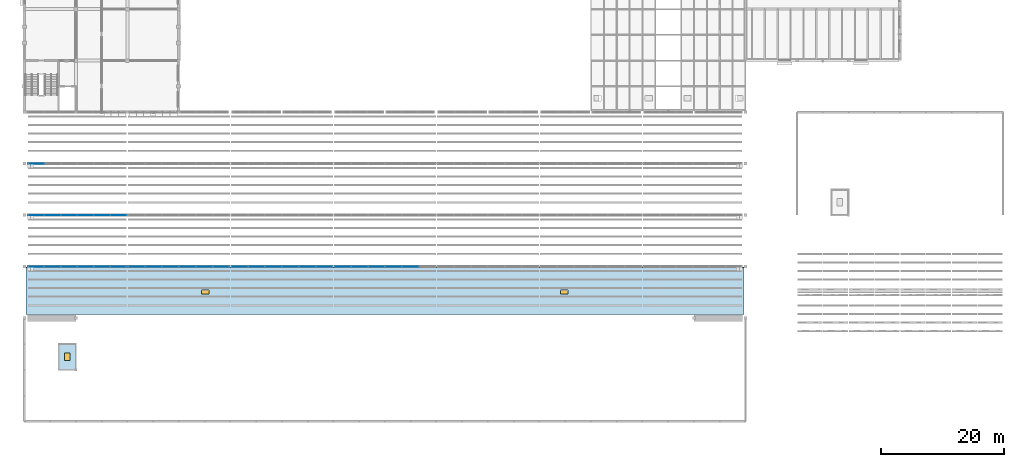
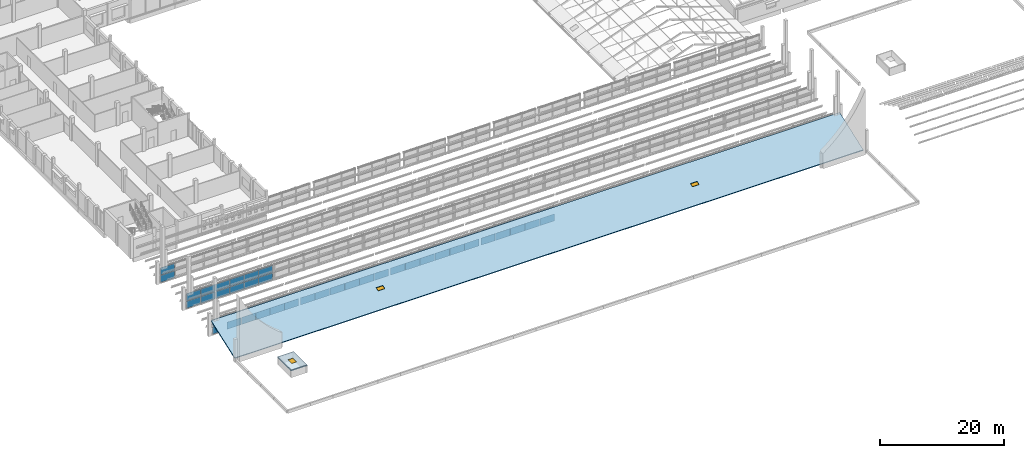
# One storey, part 80 of 116: 60 plates, 3 windows, 2 slabs, 3 openings, 6 elements without a shape of their own.
"""IFC4 building model written with IfcOpenShell, lengths in metres."""

from ifc_helpers import new_model, si_unit, direction, frame, origin, origin_2d, place, context, subcontext, project, spatial, polyline, rectangle, outline, extrude, material, layer, layer_set, type_object, element, fill, aggregate, save


model = new_model("IFC4")

# Units and contexts
model_context = context("Model", 3, precision=1e-05, world=origin(), true_north=direction((0.0, 1.0)))
body_context = subcontext(model_context, "Body", "Model", "MODEL_VIEW")
ifc_project = project(units=[si_unit("LENGTHUNIT", "METRE"), si_unit("AREAUNIT", "SQUARE_METRE"), si_unit("VOLUMEUNIT", "CUBIC_METRE"), si_unit("PLANEANGLEUNIT", "RADIAN"), si_unit("MASSUNIT", "GRAM", prefix="KILO")], contexts=[model_context])

# Site, building, storey
site_placement = place(None, origin())
site = spatial("IfcSite", under=ifc_project, at=site_placement, CompositionType="ELEMENT")
building_placement = place(site_placement, origin())
building = spatial("IfcBuilding", under=site, at=building_placement, Name="Fescue Hill Polytechnic", CompositionType="ELEMENT")
storey_placement = place(building_placement, frame((0.0, 0.0, 13.5)))
storey = spatial("IfcBuildingStorey", under=building, at=storey_placement, Name="L03", CompositionType="ELEMENT", Elevation=13.5)

# Curtain wall, plates
ifc_material_1 = material(Name="Aluminium and glass", Category="aluminium")
curtain_wall_type = type_object("IfcCurtainWallType", Name="Sawtooth north glazing curtain wall", PredefinedType="NOTDEFINED", material=ifc_material_1)
curtain_wall_1_placement = place(storey_placement, origin())
curtain_wall_1 = element("IfcCurtainWall", 1, at=curtain_wall_1_placement, inside=storey, type_object=curtain_wall_type, Name="Sawtooth 1 north glazing bay 1", PredefinedType="NOTDEFINED")
ifc_material_2 = material(Name="Glass", Category="glass")
ifc_layer_1 = layer(ifc_material_2, 0.028076171875)
ifc_layer_set_1 = layer_set([ifc_layer_1], Name="Glass")
plate_type = type_object("IfcPlateType", Name="Curtain wall glazing panel 28", PredefinedType="CURTAIN_PANEL", material=ifc_layer_set_1)
plate_1_placement = place(storey_placement, frame((1.927490234375, 25.199951171875, 0.06005859375), z_axis=(0.0, 0.0, 1.0), x_axis=(1.0, 0.0, 0.0)))
plate_1 = element("IfcPlate", 2, at=plate_1_placement, type_object=plate_type, Name="CW1 panel 1.1", PredefinedType="CURTAIN_PANEL", context=body_context, shape_type="SweptSolid", body=[
    extrude(rectangle(XDim=2.594970703125, YDim=0.028076171875, at=origin_2d()), origin(), (0.0, 0.0, 1.0), 1.409912109375),
])
plate_2_placement = place(storey_placement, frame((1.927490234375, 25.199951171875, 1.5302734375), z_axis=(0.0, 0.0, 1.0), x_axis=(1.0, 0.0, 0.0)))
plate_2 = element("IfcPlate", 3, at=plate_2_placement, type_object=plate_type, Name="CW1 panel 1.2", PredefinedType="CURTAIN_PANEL", context=body_context, shape_type="SweptSolid", body=[
    extrude(rectangle(XDim=2.594970703125, YDim=0.028076171875, at=origin_2d()), origin(), (0.0, 0.0, 1.0), 1.409912109375),
])
plate_3_placement = place(storey_placement, frame((4.597412109375, 25.199951171875, 0.06005859375), z_axis=(0.0, 0.0, 1.0), x_axis=(1.0, 0.0, 0.0)))
plate_3 = element("IfcPlate", 4, at=plate_3_placement, type_object=plate_type, Name="CW1 panel 2.1", PredefinedType="CURTAIN_PANEL", context=body_context, shape_type="SweptSolid", body=[
    extrude(rectangle(XDim=2.625, YDim=0.028076171875, at=origin_2d()), origin(), (0.0, 0.0, 1.0), 1.409912109375),
])
plate_4_placement = place(storey_placement, frame((4.597412109375, 25.199951171875, 1.5302734375), z_axis=(0.0, 0.0, 1.0), x_axis=(1.0, 0.0, 0.0)))
plate_4 = element("IfcPlate", 5, at=plate_4_placement, type_object=plate_type, Name="CW1 panel 2.2", PredefinedType="CURTAIN_PANEL", context=body_context, shape_type="SweptSolid", body=[
    extrude(rectangle(XDim=2.625, YDim=0.028076171875, at=origin_2d()), origin(), (0.0, 0.0, 1.0), 1.409912109375),
])
plate_5_placement = place(storey_placement, frame((7.282470703125, 25.199951171875, 0.06005859375), z_axis=(0.0, 0.0, 1.0), x_axis=(1.0, 0.0, 0.0)))
plate_5 = element("IfcPlate", 6, at=plate_5_placement, type_object=plate_type, Name="CW1 panel 3.1", PredefinedType="CURTAIN_PANEL", context=body_context, shape_type="SweptSolid", body=[
    extrude(rectangle(XDim=2.625, YDim=0.028076171875, at=origin_2d()), origin(), (0.0, 0.0, 1.0), 1.409912109375),
])
plate_6_placement = place(storey_placement, frame((7.282470703125, 25.199951171875, 1.5302734375), z_axis=(0.0, 0.0, 1.0), x_axis=(1.0, 0.0, 0.0)))
plate_6 = element("IfcPlate", 7, at=plate_6_placement, type_object=plate_type, Name="CW1 panel 3.2", PredefinedType="CURTAIN_PANEL", context=body_context, shape_type="SweptSolid", body=[
    extrude(rectangle(XDim=2.625, YDim=0.028076171875, at=origin_2d()), origin(), (0.0, 0.0, 1.0), 1.409912109375),
])
plate_7_placement = place(storey_placement, frame((9.967529296875, 25.199951171875, 0.06005859375), z_axis=(0.0, 0.0, 1.0), x_axis=(1.0, 0.0, 0.0)))
plate_7 = element("IfcPlate", 8, at=plate_7_placement, type_object=plate_type, Name="CW1 panel 4.1", PredefinedType="CURTAIN_PANEL", context=body_context, shape_type="SweptSolid", body=[
    extrude(rectangle(XDim=2.625, YDim=0.028076171875, at=origin_2d()), origin(), (0.0, 0.0, 1.0), 1.409912109375),
])
plate_8_placement = place(storey_placement, frame((9.967529296875, 25.199951171875, 1.5302734375), z_axis=(0.0, 0.0, 1.0), x_axis=(1.0, 0.0, 0.0)))
plate_8 = element("IfcPlate", 9, at=plate_8_placement, type_object=plate_type, Name="CW1 panel 4.2", PredefinedType="CURTAIN_PANEL", context=body_context, shape_type="SweptSolid", body=[
    extrude(rectangle(XDim=2.625, YDim=0.028076171875, at=origin_2d()), origin(), (0.0, 0.0, 1.0), 1.409912109375),
])
plate_9_placement = place(storey_placement, frame((12.652587890625, 25.199951171875, 0.06005859375), z_axis=(0.0, 0.0, 1.0), x_axis=(1.0, 0.0, 0.0)))
plate_9 = element("IfcPlate", 10, at=plate_9_placement, type_object=plate_type, Name="CW1 panel 5.1", PredefinedType="CURTAIN_PANEL", context=body_context, shape_type="SweptSolid", body=[
    extrude(rectangle(XDim=2.625, YDim=0.028076171875, at=origin_2d()), origin(), (0.0, 0.0, 1.0), 1.409912109375),
])
plate_10_placement = place(storey_placement, frame((12.652587890625, 25.199951171875, 1.5302734375), z_axis=(0.0, 0.0, 1.0), x_axis=(1.0, 0.0, 0.0)))
plate_10 = element("IfcPlate", 11, at=plate_10_placement, type_object=plate_type, Name="CW1 panel 5.2", PredefinedType="CURTAIN_PANEL", context=body_context, shape_type="SweptSolid", body=[
    extrude(rectangle(XDim=2.625, YDim=0.028076171875, at=origin_2d()), origin(), (0.0, 0.0, 1.0), 1.409912109375),
])
plate_11_placement = place(storey_placement, frame((15.322509765625, 25.199951171875, 0.06005859375), z_axis=(0.0, 0.0, 1.0), x_axis=(1.0, 0.0, 0.0)))
plate_11 = element("IfcPlate", 12, at=plate_11_placement, type_object=plate_type, Name="CW1 panel 6.1", PredefinedType="CURTAIN_PANEL", context=body_context, shape_type="SweptSolid", body=[
    extrude(rectangle(XDim=2.594970703125, YDim=0.028076171875, at=origin_2d()), origin(), (0.0, 0.0, 1.0), 1.409912109375),
])
plate_12_placement = place(storey_placement, frame((15.322509765625, 25.199951171875, 1.5302734375), z_axis=(0.0, 0.0, 1.0), x_axis=(1.0, 0.0, 0.0)))
plate_12 = element("IfcPlate", 13, at=plate_12_placement, type_object=plate_type, Name="CW1 panel 6.2", PredefinedType="CURTAIN_PANEL", context=body_context, shape_type="SweptSolid", body=[
    extrude(rectangle(XDim=2.594970703125, YDim=0.028076171875, at=origin_2d()), origin(), (0.0, 0.0, 1.0), 1.409912109375),
])
aggregate(curtain_wall_1, [plate_1, plate_2, plate_3, plate_4, plate_5, plate_6, plate_7, plate_8, plate_9, plate_10, plate_11, plate_12])

curtain_wall_2_placement = place(storey_placement, origin())
curtain_wall_2 = element("IfcCurtainWall", 14, at=curtain_wall_2_placement, inside=storey, type_object=curtain_wall_type, Name="Sawtooth 1 north glazing bay 2", PredefinedType="NOTDEFINED")
plate_13_placement = place(storey_placement, frame((18.31494140625, 25.199951171875, 0.06005859375), z_axis=(0.0, 0.0, 1.0), x_axis=(1.0, 0.0, 0.0)))
plate_13 = element("IfcPlate", 15, at=plate_13_placement, type_object=plate_type, Name="CW2 panel 1.1", PredefinedType="CURTAIN_PANEL", context=body_context, shape_type="SweptSolid", body=[
    extrude(rectangle(XDim=2.669921875, YDim=0.028076171875, at=origin_2d()), origin(), (0.0, 0.0, 1.0), 1.409912109375),
])
plate_14_placement = place(storey_placement, frame((18.31494140625, 25.199951171875, 1.5302734375), z_axis=(0.0, 0.0, 1.0), x_axis=(1.0, 0.0, 0.0)))
plate_14 = element("IfcPlate", 16, at=plate_14_placement, type_object=plate_type, Name="CW2 panel 1.2", PredefinedType="CURTAIN_PANEL", context=body_context, shape_type="SweptSolid", body=[
    extrude(rectangle(XDim=2.669921875, YDim=0.028076171875, at=origin_2d()), origin(), (0.0, 0.0, 1.0), 1.409912109375),
])
plate_15_placement = place(storey_placement, frame((21.06005859375, 25.199951171875, 0.06005859375), z_axis=(0.0, 0.0, 1.0), x_axis=(1.0, 0.0, 0.0)))
plate_15 = element("IfcPlate", 17, at=plate_15_placement, type_object=plate_type, Name="CW2 panel 2.1", PredefinedType="CURTAIN_PANEL", context=body_context, shape_type="SweptSolid", body=[
    extrude(rectangle(XDim=2.699951171875, YDim=0.028076171875, at=origin_2d()), origin(), (0.0, 0.0, 1.0), 1.409912109375),
])
plate_16_placement = place(storey_placement, frame((21.06005859375, 25.199951171875, 1.5302734375), z_axis=(0.0, 0.0, 1.0), x_axis=(1.0, 0.0, 0.0)))
plate_16 = element("IfcPlate", 18, at=plate_16_placement, type_object=plate_type, Name="CW2 panel 2.2", PredefinedType="CURTAIN_PANEL", context=body_context, shape_type="SweptSolid", body=[
    extrude(rectangle(XDim=2.699951171875, YDim=0.028076171875, at=origin_2d()), origin(), (0.0, 0.0, 1.0), 1.409912109375),
])
plate_17_placement = place(storey_placement, frame((23.820068359375, 25.199951171875, 0.06005859375), z_axis=(0.0, 0.0, 1.0), x_axis=(1.0, 0.0, 0.0)))
plate_17 = element("IfcPlate", 19, at=plate_17_placement, type_object=plate_type, Name="CW2 panel 3.1", PredefinedType="CURTAIN_PANEL", context=body_context, shape_type="SweptSolid", body=[
    extrude(rectangle(XDim=2.699951171875, YDim=0.028076171875, at=origin_2d()), origin(), (0.0, 0.0, 1.0), 1.409912109375),
])
plate_18_placement = place(storey_placement, frame((23.820068359375, 25.199951171875, 1.5302734375), z_axis=(0.0, 0.0, 1.0), x_axis=(1.0, 0.0, 0.0)))
plate_18 = element("IfcPlate", 20, at=plate_18_placement, type_object=plate_type, Name="CW2 panel 3.2", PredefinedType="CURTAIN_PANEL", context=body_context, shape_type="SweptSolid", body=[
    extrude(rectangle(XDim=2.699951171875, YDim=0.028076171875, at=origin_2d()), origin(), (0.0, 0.0, 1.0), 1.409912109375),
])
plate_19_placement = place(storey_placement, frame((26.580078125, 25.199951171875, 0.06005859375), z_axis=(0.0, 0.0, 1.0), x_axis=(1.0, 0.0, 0.0)))
plate_19 = element("IfcPlate", 21, at=plate_19_placement, type_object=plate_type, Name="CW2 panel 4.1", PredefinedType="CURTAIN_PANEL", context=body_context, shape_type="SweptSolid", body=[
    extrude(rectangle(XDim=2.699951171875, YDim=0.028076171875, at=origin_2d()), origin(), (0.0, 0.0, 1.0), 1.409912109375),
])
plate_20_placement = place(storey_placement, frame((26.580078125, 25.199951171875, 1.5302734375), z_axis=(0.0, 0.0, 1.0), x_axis=(1.0, 0.0, 0.0)))
plate_20 = element("IfcPlate", 22, at=plate_20_placement, type_object=plate_type, Name="CW2 panel 4.2", PredefinedType="CURTAIN_PANEL", context=body_context, shape_type="SweptSolid", body=[
    extrude(rectangle(XDim=2.699951171875, YDim=0.028076171875, at=origin_2d()), origin(), (0.0, 0.0, 1.0), 1.409912109375),
])
plate_21_placement = place(storey_placement, frame((29.340087890625, 25.199951171875, 0.06005859375), z_axis=(0.0, 0.0, 1.0), x_axis=(1.0, 0.0, 0.0)))
plate_21 = element("IfcPlate", 23, at=plate_21_placement, type_object=plate_type, Name="CW2 panel 5.1", PredefinedType="CURTAIN_PANEL", context=body_context, shape_type="SweptSolid", body=[
    extrude(rectangle(XDim=2.699951171875, YDim=0.028076171875, at=origin_2d()), origin(), (0.0, 0.0, 1.0), 1.409912109375),
])
plate_22_placement = place(storey_placement, frame((29.340087890625, 25.199951171875, 1.5302734375), z_axis=(0.0, 0.0, 1.0), x_axis=(1.0, 0.0, 0.0)))
plate_22 = element("IfcPlate", 24, at=plate_22_placement, type_object=plate_type, Name="CW2 panel 5.2", PredefinedType="CURTAIN_PANEL", context=body_context, shape_type="SweptSolid", body=[
    extrude(rectangle(XDim=2.699951171875, YDim=0.028076171875, at=origin_2d()), origin(), (0.0, 0.0, 1.0), 1.409912109375),
])
plate_23_placement = place(storey_placement, frame((32.0849609375, 25.199951171875, 0.06005859375), z_axis=(0.0, 0.0, 1.0), x_axis=(1.0, 0.0, 0.0)))
plate_23 = element("IfcPlate", 25, at=plate_23_placement, type_object=plate_type, Name="CW2 panel 6.1", PredefinedType="CURTAIN_PANEL", context=body_context, shape_type="SweptSolid", body=[
    extrude(rectangle(XDim=2.669921875, YDim=0.028076171875, at=origin_2d()), origin(), (0.0, 0.0, 1.0), 1.409912109375),
])
plate_24_placement = place(storey_placement, frame((32.0849609375, 25.199951171875, 1.5302734375), z_axis=(0.0, 0.0, 1.0), x_axis=(1.0, 0.0, 0.0)))
plate_24 = element("IfcPlate", 26, at=plate_24_placement, type_object=plate_type, Name="CW2 panel 6.2", PredefinedType="CURTAIN_PANEL", context=body_context, shape_type="SweptSolid", body=[
    extrude(rectangle(XDim=2.669921875, YDim=0.028076171875, at=origin_2d()), origin(), (0.0, 0.0, 1.0), 1.409912109375),
])
aggregate(curtain_wall_2, [plate_13, plate_14, plate_15, plate_16, plate_17, plate_18, plate_19, plate_20, plate_21, plate_22, plate_23, plate_24])

curtain_wall_3_placement = place(storey_placement, origin())
curtain_wall_3 = element("IfcCurtainWall", 27, at=curtain_wall_3_placement, inside=storey, type_object=curtain_wall_type, Name="Sawtooth 1 north glazing bay 3", PredefinedType="NOTDEFINED")
plate_25_placement = place(storey_placement, frame((35.114990234375, 25.199951171875, 0.06005859375), z_axis=(0.0, 0.0, 1.0), x_axis=(1.0, 0.0, 0.0)))
plate_25 = element("IfcPlate", 28, at=plate_25_placement, type_object=plate_type, Name="CW3 panel 1.1", PredefinedType="CURTAIN_PANEL", context=body_context, shape_type="SweptSolid", body=[
    extrude(rectangle(XDim=2.669921875, YDim=0.028076171875, at=origin_2d()), origin(), (0.0, 0.0, 1.0), 1.409912109375),
])
plate_26_placement = place(storey_placement, frame((35.114990234375, 25.199951171875, 1.5302734375), z_axis=(0.0, 0.0, 1.0), x_axis=(1.0, 0.0, 0.0)))
plate_26 = element("IfcPlate", 29, at=plate_26_placement, type_object=plate_type, Name="CW3 panel 1.2", PredefinedType="CURTAIN_PANEL", context=body_context, shape_type="SweptSolid", body=[
    extrude(rectangle(XDim=2.669921875, YDim=0.028076171875, at=origin_2d()), origin(), (0.0, 0.0, 1.0), 1.409912109375),
])
plate_27_placement = place(storey_placement, frame((37.860107421875, 25.199951171875, 0.06005859375), z_axis=(0.0, 0.0, 1.0), x_axis=(1.0, 0.0, 0.0)))
plate_27 = element("IfcPlate", 30, at=plate_27_placement, type_object=plate_type, Name="CW3 panel 2.1", PredefinedType="CURTAIN_PANEL", context=body_context, shape_type="SweptSolid", body=[
    extrude(rectangle(XDim=2.699951171875, YDim=0.028076171875, at=origin_2d()), origin(), (0.0, 0.0, 1.0), 1.409912109375),
])
plate_28_placement = place(storey_placement, frame((37.860107421875, 25.199951171875, 1.5302734375), z_axis=(0.0, 0.0, 1.0), x_axis=(1.0, 0.0, 0.0)))
plate_28 = element("IfcPlate", 31, at=plate_28_placement, type_object=plate_type, Name="CW3 panel 2.2", PredefinedType="CURTAIN_PANEL", context=body_context, shape_type="SweptSolid", body=[
    extrude(rectangle(XDim=2.699951171875, YDim=0.028076171875, at=origin_2d()), origin(), (0.0, 0.0, 1.0), 1.409912109375),
])
plate_29_placement = place(storey_placement, frame((40.6201171875, 25.199951171875, 0.06005859375), z_axis=(0.0, 0.0, 1.0), x_axis=(1.0, 0.0, 0.0)))
plate_29 = element("IfcPlate", 32, at=plate_29_placement, type_object=plate_type, Name="CW3 panel 3.1", PredefinedType="CURTAIN_PANEL", context=body_context, shape_type="SweptSolid", body=[
    extrude(rectangle(XDim=2.699951171875, YDim=0.028076171875, at=origin_2d()), origin(), (0.0, 0.0, 1.0), 1.409912109375),
])
plate_30_placement = place(storey_placement, frame((40.6201171875, 25.199951171875, 1.5302734375), z_axis=(0.0, 0.0, 1.0), x_axis=(1.0, 0.0, 0.0)))
plate_30 = element("IfcPlate", 33, at=plate_30_placement, type_object=plate_type, Name="CW3 panel 3.2", PredefinedType="CURTAIN_PANEL", context=body_context, shape_type="SweptSolid", body=[
    extrude(rectangle(XDim=2.699951171875, YDim=0.028076171875, at=origin_2d()), origin(), (0.0, 0.0, 1.0), 1.409912109375),
])
plate_31_placement = place(storey_placement, frame((43.3798828125, 25.199951171875, 0.06005859375), z_axis=(0.0, 0.0, 1.0), x_axis=(1.0, 0.0, 0.0)))
plate_31 = element("IfcPlate", 34, at=plate_31_placement, type_object=plate_type, Name="CW3 panel 4.1", PredefinedType="CURTAIN_PANEL", context=body_context, shape_type="SweptSolid", body=[
    extrude(rectangle(XDim=2.699951171875, YDim=0.028076171875, at=origin_2d()), origin(), (0.0, 0.0, 1.0), 1.409912109375),
])
plate_32_placement = place(storey_placement, frame((43.3798828125, 25.199951171875, 1.5302734375), z_axis=(0.0, 0.0, 1.0), x_axis=(1.0, 0.0, 0.0)))
plate_32 = element("IfcPlate", 35, at=plate_32_placement, type_object=plate_type, Name="CW3 panel 4.2", PredefinedType="CURTAIN_PANEL", context=body_context, shape_type="SweptSolid", body=[
    extrude(rectangle(XDim=2.699951171875, YDim=0.028076171875, at=origin_2d()), origin(), (0.0, 0.0, 1.0), 1.409912109375),
])
plate_33_placement = place(storey_placement, frame((46.139892578125, 25.199951171875, 0.06005859375), z_axis=(0.0, 0.0, 1.0), x_axis=(1.0, 0.0, 0.0)))
plate_33 = element("IfcPlate", 36, at=plate_33_placement, type_object=plate_type, Name="CW3 panel 5.1", PredefinedType="CURTAIN_PANEL", context=body_context, shape_type="SweptSolid", body=[
    extrude(rectangle(XDim=2.699951171875, YDim=0.028076171875, at=origin_2d()), origin(), (0.0, 0.0, 1.0), 1.409912109375),
])
plate_34_placement = place(storey_placement, frame((46.139892578125, 25.199951171875, 1.5302734375), z_axis=(0.0, 0.0, 1.0), x_axis=(1.0, 0.0, 0.0)))
plate_34 = element("IfcPlate", 37, at=plate_34_placement, type_object=plate_type, Name="CW3 panel 5.2", PredefinedType="CURTAIN_PANEL", context=body_context, shape_type="SweptSolid", body=[
    extrude(rectangle(XDim=2.699951171875, YDim=0.028076171875, at=origin_2d()), origin(), (0.0, 0.0, 1.0), 1.409912109375),
])
plate_35_placement = place(storey_placement, frame((48.885009765625, 25.199951171875, 0.06005859375), z_axis=(0.0, 0.0, 1.0), x_axis=(1.0, 0.0, 0.0)))
plate_35 = element("IfcPlate", 38, at=plate_35_placement, type_object=plate_type, Name="CW3 panel 6.1", PredefinedType="CURTAIN_PANEL", context=body_context, shape_type="SweptSolid", body=[
    extrude(rectangle(XDim=2.669921875, YDim=0.028076171875, at=origin_2d()), origin(), (0.0, 0.0, 1.0), 1.409912109375),
])
plate_36_placement = place(storey_placement, frame((48.885009765625, 25.199951171875, 1.5302734375), z_axis=(0.0, 0.0, 1.0), x_axis=(1.0, 0.0, 0.0)))
plate_36 = element("IfcPlate", 39, at=plate_36_placement, type_object=plate_type, Name="CW3 panel 6.2", PredefinedType="CURTAIN_PANEL", context=body_context, shape_type="SweptSolid", body=[
    extrude(rectangle(XDim=2.669921875, YDim=0.028076171875, at=origin_2d()), origin(), (0.0, 0.0, 1.0), 1.409912109375),
])
aggregate(curtain_wall_3, [plate_25, plate_26, plate_27, plate_28, plate_29, plate_30, plate_31, plate_32, plate_33, plate_34, plate_35, plate_36])

curtain_wall_4_placement = place(storey_placement, origin())
curtain_wall_4 = element("IfcCurtainWall", 40, at=curtain_wall_4_placement, inside=storey, type_object=curtain_wall_type, Name="Sawtooth 1 north glazing bay 4", PredefinedType="NOTDEFINED")
plate_37_placement = place(storey_placement, frame((51.9150390625, 25.199951171875, 0.06005859375), z_axis=(0.0, 0.0, 1.0), x_axis=(1.0, 0.0, 0.0)))
plate_37 = element("IfcPlate", 41, at=plate_37_placement, type_object=plate_type, Name="CW4 panel 1.1", PredefinedType="CURTAIN_PANEL", context=body_context, shape_type="SweptSolid", body=[
    extrude(rectangle(XDim=2.669921875, YDim=0.028076171875, at=origin_2d()), origin(), (0.0, 0.0, 1.0), 1.409912109375),
])
plate_38_placement = place(storey_placement, frame((51.9150390625, 25.199951171875, 1.5302734375), z_axis=(0.0, 0.0, 1.0), x_axis=(1.0, 0.0, 0.0)))
plate_38 = element("IfcPlate", 42, at=plate_38_placement, type_object=plate_type, Name="CW4 panel 1.2", PredefinedType="CURTAIN_PANEL", context=body_context, shape_type="SweptSolid", body=[
    extrude(rectangle(XDim=2.669921875, YDim=0.028076171875, at=origin_2d()), origin(), (0.0, 0.0, 1.0), 1.409912109375),
])
plate_39_placement = place(storey_placement, frame((54.659912109375, 25.199951171875, 0.06005859375), z_axis=(0.0, 0.0, 1.0), x_axis=(1.0, 0.0, 0.0)))
plate_39 = element("IfcPlate", 43, at=plate_39_placement, type_object=plate_type, Name="CW4 panel 2.1", PredefinedType="CURTAIN_PANEL", context=body_context, shape_type="SweptSolid", body=[
    extrude(rectangle(XDim=2.699951171875, YDim=0.028076171875, at=origin_2d()), origin(), (0.0, 0.0, 1.0), 1.409912109375),
])
plate_40_placement = place(storey_placement, frame((54.659912109375, 25.199951171875, 1.5302734375), z_axis=(0.0, 0.0, 1.0), x_axis=(1.0, 0.0, 0.0)))
plate_40 = element("IfcPlate", 44, at=plate_40_placement, type_object=plate_type, Name="CW4 panel 2.2", PredefinedType="CURTAIN_PANEL", context=body_context, shape_type="SweptSolid", body=[
    extrude(rectangle(XDim=2.699951171875, YDim=0.028076171875, at=origin_2d()), origin(), (0.0, 0.0, 1.0), 1.409912109375),
])
plate_41_placement = place(storey_placement, frame((57.419921875, 25.199951171875, 0.06005859375), z_axis=(0.0, 0.0, 1.0), x_axis=(1.0, 0.0, 0.0)))
plate_41 = element("IfcPlate", 45, at=plate_41_placement, type_object=plate_type, Name="CW4 panel 3.1", PredefinedType="CURTAIN_PANEL", context=body_context, shape_type="SweptSolid", body=[
    extrude(rectangle(XDim=2.699951171875, YDim=0.028076171875, at=origin_2d()), origin(), (0.0, 0.0, 1.0), 1.409912109375),
])
plate_42_placement = place(storey_placement, frame((57.419921875, 25.199951171875, 1.5302734375), z_axis=(0.0, 0.0, 1.0), x_axis=(1.0, 0.0, 0.0)))
plate_42 = element("IfcPlate", 46, at=plate_42_placement, type_object=plate_type, Name="CW4 panel 3.2", PredefinedType="CURTAIN_PANEL", context=body_context, shape_type="SweptSolid", body=[
    extrude(rectangle(XDim=2.699951171875, YDim=0.028076171875, at=origin_2d()), origin(), (0.0, 0.0, 1.0), 1.409912109375),
])
plate_43_placement = place(storey_placement, frame((60.179931640625, 25.199951171875, 0.06005859375), z_axis=(0.0, 0.0, 1.0), x_axis=(1.0, 0.0, 0.0)))
plate_43 = element("IfcPlate", 47, at=plate_43_placement, type_object=plate_type, Name="CW4 panel 4.1", PredefinedType="CURTAIN_PANEL", context=body_context, shape_type="SweptSolid", body=[
    extrude(rectangle(XDim=2.699951171875, YDim=0.028076171875, at=origin_2d()), origin(), (0.0, 0.0, 1.0), 1.409912109375),
])
plate_44_placement = place(storey_placement, frame((60.179931640625, 25.199951171875, 1.5302734375), z_axis=(0.0, 0.0, 1.0), x_axis=(1.0, 0.0, 0.0)))
plate_44 = element("IfcPlate", 48, at=plate_44_placement, type_object=plate_type, Name="CW4 panel 4.2", PredefinedType="CURTAIN_PANEL", context=body_context, shape_type="SweptSolid", body=[
    extrude(rectangle(XDim=2.699951171875, YDim=0.028076171875, at=origin_2d()), origin(), (0.0, 0.0, 1.0), 1.409912109375),
])
plate_45_placement = place(storey_placement, frame((62.93994140625, 25.199951171875, 0.06005859375), z_axis=(0.0, 0.0, 1.0), x_axis=(1.0, 0.0, 0.0)))
plate_45 = element("IfcPlate", 49, at=plate_45_placement, type_object=plate_type, Name="CW4 panel 5.1", PredefinedType="CURTAIN_PANEL", context=body_context, shape_type="SweptSolid", body=[
    extrude(rectangle(XDim=2.699951171875, YDim=0.028076171875, at=origin_2d()), origin(), (0.0, 0.0, 1.0), 1.409912109375),
])
plate_46_placement = place(storey_placement, frame((62.93994140625, 25.199951171875, 1.5302734375), z_axis=(0.0, 0.0, 1.0), x_axis=(1.0, 0.0, 0.0)))
plate_46 = element("IfcPlate", 50, at=plate_46_placement, type_object=plate_type, Name="CW4 panel 5.2", PredefinedType="CURTAIN_PANEL", context=body_context, shape_type="SweptSolid", body=[
    extrude(rectangle(XDim=2.699951171875, YDim=0.028076171875, at=origin_2d()), origin(), (0.0, 0.0, 1.0), 1.409912109375),
])
aggregate(curtain_wall_4, [plate_37, plate_38, plate_39, plate_40, plate_41, plate_42, plate_43, plate_44, plate_45, plate_46])

curtain_wall_5_placement = place(storey_placement, origin())
curtain_wall_5 = element("IfcCurtainWall", 51, at=curtain_wall_5_placement, inside=storey, type_object=curtain_wall_type, Name="Sawtooth 2 north glazing bay 1", PredefinedType="NOTDEFINED")
plate_47_placement = place(storey_placement, frame((1.927490234375, 33.60009765625, 0.06005859375), z_axis=(0.0, 0.0, 1.0), x_axis=(1.0, 0.0, 0.0)))
plate_47 = element("IfcPlate", 52, at=plate_47_placement, type_object=plate_type, Name="CW8 panel 1.1", PredefinedType="CURTAIN_PANEL", context=body_context, shape_type="SweptSolid", body=[
    extrude(rectangle(XDim=2.594970703125, YDim=0.028076171875, at=origin_2d()), origin(), (0.0, 0.0, 1.0), 1.409912109375),
])
plate_48_placement = place(storey_placement, frame((1.927490234375, 33.60009765625, 1.5302734375), z_axis=(0.0, 0.0, 1.0), x_axis=(1.0, 0.0, 0.0)))
plate_48 = element("IfcPlate", 53, at=plate_48_placement, type_object=plate_type, Name="CW8 panel 1.2", PredefinedType="CURTAIN_PANEL", context=body_context, shape_type="SweptSolid", body=[
    extrude(rectangle(XDim=2.594970703125, YDim=0.028076171875, at=origin_2d()), origin(), (0.0, 0.0, 1.0), 1.409912109375),
])
plate_49_placement = place(storey_placement, frame((4.597412109375, 33.60009765625, 0.06005859375), z_axis=(0.0, 0.0, 1.0), x_axis=(1.0, 0.0, 0.0)))
plate_49 = element("IfcPlate", 54, at=plate_49_placement, type_object=plate_type, Name="CW8 panel 2.1", PredefinedType="CURTAIN_PANEL", context=body_context, shape_type="SweptSolid", body=[
    extrude(rectangle(XDim=2.625, YDim=0.028076171875, at=origin_2d()), origin(), (0.0, 0.0, 1.0), 1.409912109375),
])
plate_50_placement = place(storey_placement, frame((4.597412109375, 33.60009765625, 1.5302734375), z_axis=(0.0, 0.0, 1.0), x_axis=(1.0, 0.0, 0.0)))
plate_50 = element("IfcPlate", 55, at=plate_50_placement, type_object=plate_type, Name="CW8 panel 2.2", PredefinedType="CURTAIN_PANEL", context=body_context, shape_type="SweptSolid", body=[
    extrude(rectangle(XDim=2.625, YDim=0.028076171875, at=origin_2d()), origin(), (0.0, 0.0, 1.0), 1.409912109375),
])
plate_51_placement = place(storey_placement, frame((7.282470703125, 33.60009765625, 0.06005859375), z_axis=(0.0, 0.0, 1.0), x_axis=(1.0, 0.0, 0.0)))
plate_51 = element("IfcPlate", 56, at=plate_51_placement, type_object=plate_type, Name="CW8 panel 3.1", PredefinedType="CURTAIN_PANEL", context=body_context, shape_type="SweptSolid", body=[
    extrude(rectangle(XDim=2.625, YDim=0.028076171875, at=origin_2d()), origin(), (0.0, 0.0, 1.0), 1.409912109375),
])
plate_52_placement = place(storey_placement, frame((7.282470703125, 33.60009765625, 1.5302734375), z_axis=(0.0, 0.0, 1.0), x_axis=(1.0, 0.0, 0.0)))
plate_52 = element("IfcPlate", 57, at=plate_52_placement, type_object=plate_type, Name="CW8 panel 3.2", PredefinedType="CURTAIN_PANEL", context=body_context, shape_type="SweptSolid", body=[
    extrude(rectangle(XDim=2.625, YDim=0.028076171875, at=origin_2d()), origin(), (0.0, 0.0, 1.0), 1.409912109375),
])
plate_53_placement = place(storey_placement, frame((9.967529296875, 33.60009765625, 0.06005859375), z_axis=(0.0, 0.0, 1.0), x_axis=(1.0, 0.0, 0.0)))
plate_53 = element("IfcPlate", 58, at=plate_53_placement, type_object=plate_type, Name="CW8 panel 4.1", PredefinedType="CURTAIN_PANEL", context=body_context, shape_type="SweptSolid", body=[
    extrude(rectangle(XDim=2.625, YDim=0.028076171875, at=origin_2d()), origin(), (0.0, 0.0, 1.0), 1.409912109375),
])
plate_54_placement = place(storey_placement, frame((9.967529296875, 33.60009765625, 1.5302734375), z_axis=(0.0, 0.0, 1.0), x_axis=(1.0, 0.0, 0.0)))
plate_54 = element("IfcPlate", 59, at=plate_54_placement, type_object=plate_type, Name="CW8 panel 4.2", PredefinedType="CURTAIN_PANEL", context=body_context, shape_type="SweptSolid", body=[
    extrude(rectangle(XDim=2.625, YDim=0.028076171875, at=origin_2d()), origin(), (0.0, 0.0, 1.0), 1.409912109375),
])
plate_55_placement = place(storey_placement, frame((12.652587890625, 33.60009765625, 0.06005859375), z_axis=(0.0, 0.0, 1.0), x_axis=(1.0, 0.0, 0.0)))
plate_55 = element("IfcPlate", 60, at=plate_55_placement, type_object=plate_type, Name="CW8 panel 5.1", PredefinedType="CURTAIN_PANEL", context=body_context, shape_type="SweptSolid", body=[
    extrude(rectangle(XDim=2.625, YDim=0.028076171875, at=origin_2d()), origin(), (0.0, 0.0, 1.0), 1.409912109375),
])
plate_56_placement = place(storey_placement, frame((12.652587890625, 33.60009765625, 1.5302734375), z_axis=(0.0, 0.0, 1.0), x_axis=(1.0, 0.0, 0.0)))
plate_56 = element("IfcPlate", 61, at=plate_56_placement, type_object=plate_type, Name="CW8 panel 5.2", PredefinedType="CURTAIN_PANEL", context=body_context, shape_type="SweptSolid", body=[
    extrude(rectangle(XDim=2.625, YDim=0.028076171875, at=origin_2d()), origin(), (0.0, 0.0, 1.0), 1.409912109375),
])
plate_57_placement = place(storey_placement, frame((15.322509765625, 33.60009765625, 0.06005859375), z_axis=(0.0, 0.0, 1.0), x_axis=(1.0, 0.0, 0.0)))
plate_57 = element("IfcPlate", 62, at=plate_57_placement, type_object=plate_type, Name="CW8 panel 6.1", PredefinedType="CURTAIN_PANEL", context=body_context, shape_type="SweptSolid", body=[
    extrude(rectangle(XDim=2.594970703125, YDim=0.028076171875, at=origin_2d()), origin(), (0.0, 0.0, 1.0), 1.409912109375),
])
plate_58_placement = place(storey_placement, frame((15.322509765625, 33.60009765625, 1.5302734375), z_axis=(0.0, 0.0, 1.0), x_axis=(1.0, 0.0, 0.0)))
plate_58 = element("IfcPlate", 63, at=plate_58_placement, type_object=plate_type, Name="CW8 panel 6.2", PredefinedType="CURTAIN_PANEL", context=body_context, shape_type="SweptSolid", body=[
    extrude(rectangle(XDim=2.594970703125, YDim=0.028076171875, at=origin_2d()), origin(), (0.0, 0.0, 1.0), 1.409912109375),
])
aggregate(curtain_wall_5, [plate_47, plate_48, plate_49, plate_50, plate_51, plate_52, plate_53, plate_54, plate_55, plate_56, plate_57, plate_58])

curtain_wall_6_placement = place(storey_placement, origin())
curtain_wall_6 = element("IfcCurtainWall", 64, at=curtain_wall_6_placement, inside=storey, type_object=curtain_wall_type, Name="Sawtooth 3 north glazing bay 1", PredefinedType="NOTDEFINED")
plate_59_placement = place(storey_placement, frame((1.927490234375, 42.0, 0.06005859375), z_axis=(0.0, 0.0, 1.0), x_axis=(1.0, 0.0, 0.0)))
plate_59 = element("IfcPlate", 65, at=plate_59_placement, type_object=plate_type, Name="CW15 panel 1.1", PredefinedType="CURTAIN_PANEL", context=body_context, shape_type="SweptSolid", body=[
    extrude(rectangle(XDim=2.594970703125, YDim=0.028076171875, at=origin_2d()), origin(), (0.0, 0.0, 1.0), 1.409912109375),
])
plate_60_placement = place(storey_placement, frame((1.927490234375, 42.0, 1.5302734375), z_axis=(0.0, 0.0, 1.0), x_axis=(1.0, 0.0, 0.0)))
plate_60 = element("IfcPlate", 66, at=plate_60_placement, type_object=plate_type, Name="CW15 panel 1.2", PredefinedType="CURTAIN_PANEL", context=body_context, shape_type="SweptSolid", body=[
    extrude(rectangle(XDim=2.594970703125, YDim=0.028076171875, at=origin_2d()), origin(), (0.0, 0.0, 1.0), 1.409912109375),
])
aggregate(curtain_wall_6, [plate_59, plate_60])

# Slab, opening, window
ifc_material_3 = material(Name="Concrete 35 MPa", Category="concrete")
ifc_layer_2 = layer(ifc_material_3, 0.199951171875)
ifc_layer_set_2 = layer_set([ifc_layer_2], Name="Concrete 35 MPa")
slab_type_1 = type_object("IfcSlabType", Name="Roof slab 200", PredefinedType="ROOF", material=ifc_layer_set_2)
slab_1_placement = place(storey_placement, frame((0.0, 0.0, 1.300048828125)))
slab_1 = element("IfcSlab", 67, at=slab_1_placement, inside=storey, type_object=slab_type_1, Name="LD-LF-V1-1", PredefinedType="ROOF", context=body_context, shape_type="SweptSolid", body=[
    extrude(outline(polyline([(8.5, 8.300048828125), (5.5, 8.300048828125), (5.5, 12.699951171875), (8.5, 12.699951171875), (8.5, 8.300048828125)])), origin(), (0.0, 0.0, 1.0), 0.199951171875),
])
opening_1_placement = place(slab_1_placement, frame((7.0, 10.5, 0.0)))
opening_1 = element("IfcOpeningElement", 68, at=opening_1_placement, cuts=slab_1, Name="Opening WH4", PredefinedType="OPENING", context=body_context, shape_type="SweptSolid", body=[
    extrude(rectangle(XDim=0.89990234375, YDim=1.199951171875, at=origin_2d()), frame((0.0, 0.0, -0.010009765625)), (0.0, 0.0, 1.0), 0.219970703125),
])
ifc_material_4 = material(Name="Powder-coated aluminium and glass", Category="aluminium")
window_type_1 = type_object("IfcWindowType", Name="Hoistway vent hatch 900x1200", PartitioningType="SINGLE_PANEL", PredefinedType="SKYLIGHT", material=ifc_material_4)
window_1_placement = place(opening_1_placement, frame((0.0, 0.0, 0.14990234375)))
window_1 = element("IfcWindow", 69, at=window_1_placement, inside=storey, type_object=window_type_1, Name="RLT-L03-LD-LF-V1-1", OverallHeight=1.199951171875, OverallWidth=0.89990234375, PartitioningType="SINGLE_PANEL", PredefinedType="SKYLIGHT", context=body_context, shape_type="SweptSolid", body=[
    extrude(rectangle(XDim=0.89990234375, YDim=1.199951171875, at=origin_2d()), origin(), (0.0, 0.0, 1.0), 0.050048828125),
])
fill(opening_1, window_1)

# Slab, openings, windows
ifc_material_5 = material(Name="Insulated steel deck on Steel 350W (350 MPa)", Category="steel")
ifc_layer_3 = layer(ifc_material_5, 0.199951171875)
ifc_layer_set_3 = layer_set([ifc_layer_3], Name="Insulated steel deck on Steel 350W (350 MPa)")
slab_type_2 = type_object("IfcSlabType", Name="Sawtooth roof deck 200", PredefinedType="ROOF", material=ifc_layer_set_3)
slab_2_placement = place(storey_placement, frame((0.25, 17.39990234375, 0.21435546875), z_axis=(0.0, -0.336336396998, 0.941741911595), x_axis=(1.0, 0.0, 0.0)))
slab_2 = element("IfcSlab", 70, at=slab_2_placement, inside=storey, type_object=slab_type_2, Name="Sawtooth roof 1", PredefinedType="ROOF", context=body_context, shape_type="SweptSolid", body=[
    extrude(outline(polyline([(0.0, 0.0), (117.10009765625, 0.0), (117.10009765625, 8.126251934874544), (0.0, 8.126251934874544), (0.0, 0.0)])), origin(), (0.0, 0.0, -1.0), 0.199951171875),
])
opening_2_placement = place(storey_placement, frame((29.5, 21.050048828125, 0.9912109375)))
opening_2 = element("IfcOpeningElement", 71, at=opening_2_placement, cuts=slab_2, Name="Opening WH3", PredefinedType="OPENING", context=body_context, shape_type="SweptSolid", body=[
    extrude(rectangle(XDim=1.239990234375, YDim=0.641845703125, at=origin_2d()), origin(), (0.0, 0.0, 1.0), 0.8408203125),
])
opening_3_placement = place(storey_placement, frame((88.050048828125, 21.050048828125, 0.9912109375)))
opening_3 = element("IfcOpeningElement", 72, at=opening_3_placement, cuts=slab_2, Name="Opening WH3", PredefinedType="OPENING", context=body_context, shape_type="SweptSolid", body=[
    extrude(rectangle(XDim=1.239990234375, YDim=0.641845703125, at=origin_2d()), origin(), (0.0, 0.0, 1.0), 0.8408203125),
])
window_type_2 = type_object("IfcWindowType", Name="Roof ventilator 1200x600", PartitioningType="SINGLE_PANEL", PredefinedType="SKYLIGHT", material=ifc_material_4)
window_2_placement = place(storey_placement, frame((29.5, 21.050048828125, 1.51806640625), z_axis=(0.0, -0.336336396998, 0.941741911595), x_axis=(1.0, 0.0, 0.0)))
window_2 = element("IfcWindow", 73, at=window_2_placement, inside=storey, type_object=window_type_2, Name="RLT-L03-SR-ST1", OverallHeight=0.60009765625, OverallWidth=1.199951171875, PartitioningType="SINGLE_PANEL", PredefinedType="SKYLIGHT", context=body_context, shape_type="SweptSolid", body=[
    extrude(rectangle(XDim=1.199951171875, YDim=0.60009765625, at=origin_2d()), origin(), (0.0, 0.0, -1.0), 0.050048828125),
])
fill(opening_2, window_2)
window_3_placement = place(storey_placement, frame((88.050048828125, 21.050048828125, 1.51806640625), z_axis=(0.0, -0.336336396998, 0.941741911595), x_axis=(1.0, 0.0, 0.0)))
window_3 = element("IfcWindow", 74, at=window_3_placement, inside=storey, type_object=window_type_2, Name="RLT-L03-SR-ST1-2", OverallHeight=0.60009765625, OverallWidth=1.199951171875, PartitioningType="SINGLE_PANEL", PredefinedType="SKYLIGHT", context=body_context, shape_type="SweptSolid", body=[
    extrude(rectangle(XDim=1.199951171875, YDim=0.60009765625, at=origin_2d()), origin(), (0.0, 0.0, -1.0), 0.050048828125),
])
fill(opening_3, window_3)

save(model, "model.ifc")
